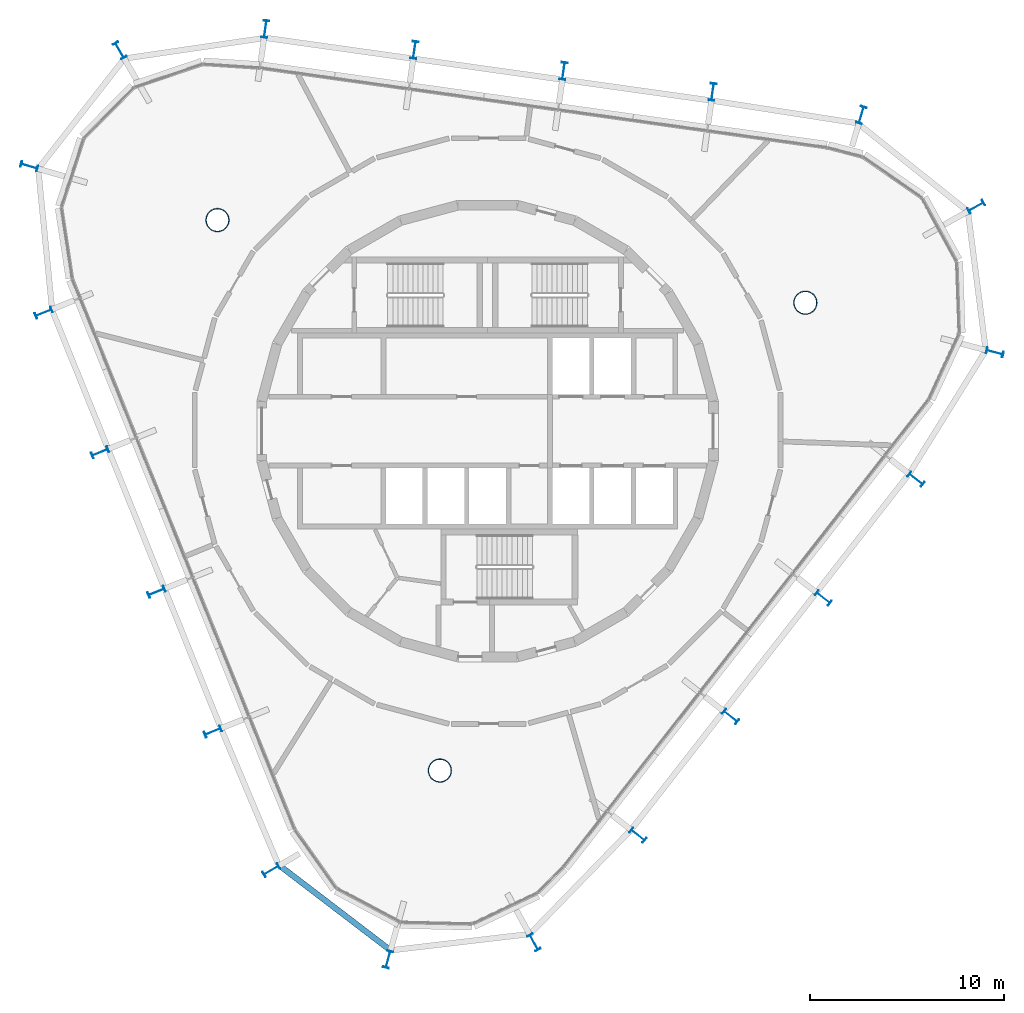
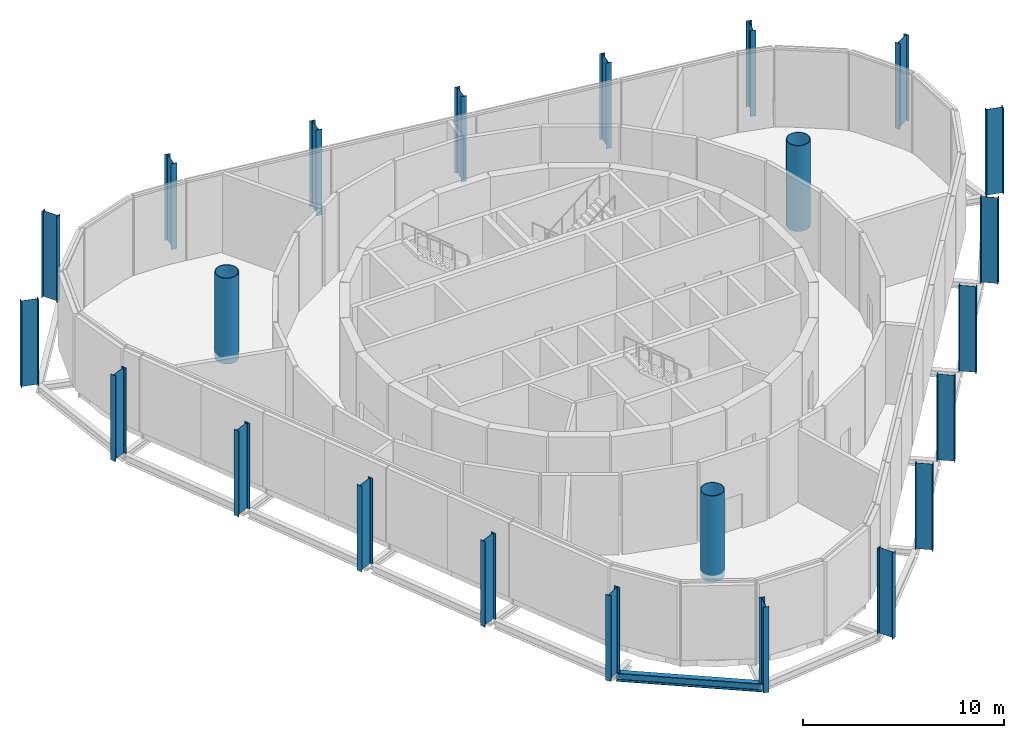
# One storey, part 1 of 12: 23 columns, 1 beam.
"""IFC4 building model written with IfcOpenShell, lengths in metres."""

import ifcopenshell
import ifcopenshell.guid

model = None  # the IFC model being written
_history = None  # IfcOwnerHistory: only IFC2X3 demands one
_inside = {}  # id of a spatial element -> (the spatial element, [elements in it])
_under = {}  # id of a project, library or spatial element -> (it, [spatial elements below it])
_declared = {}  # id of a project -> (the project, [libraries it declares])
_typed = {}  # id of a type object -> (the type object, [elements of that type])
_made_of = {}  # id of a material, layer set ... -> (it, [elements and type objects made of it])


def new_model(schema):
    """Start an empty IFC model of exactly this schema.

    Asked for "IFC4X3", IfcOpenShell would pick the latest addendum, in which some entities
    have other attributes; the version numbers below select the first issue.
    IFC2X3 requires an IfcOwnerHistory on every rooted entity: one is made here for all.
    """
    global model, _history
    if schema == "IFC4X3":
        model = ifcopenshell.file(schema_version=(4, 3, 0, 0))
    else:
        model = ifcopenshell.file(schema=schema)
    _inside.clear()
    _under.clear()
    _declared.clear()
    _typed.clear()
    _made_of.clear()
    _history = None
    if model.schema == "IFC2X3":
        org = make("IfcOrganization", Name="unknown")
        user = make(
            "IfcPersonAndOrganization",
            ThePerson=make("IfcPerson", FamilyName="unknown"),
            TheOrganization=org,
        )
        app = make(
            "IfcApplication",
            ApplicationDeveloper=org,
            Version="unknown",
            ApplicationFullName="unknown",
            ApplicationIdentifier="unknown",
        )
        _history = make(
            "IfcOwnerHistory",
            OwningUser=user,
            OwningApplication=app,
            ChangeAction="ADDED",
            CreationDate=0,
        )
    return model


def make(cls, **values):
    """One entity of the class cls with the attributes given. An attribute that is None is left unset."""
    return model.create_entity(
        cls, **{name: value for name, value in values.items() if value is not None}
    )


def rooted(cls, **values):
    """An entity with a GlobalId (a new one), such as an element, a storey or a relation."""
    return make(cls, GlobalId=ifcopenshell.guid.new(), OwnerHistory=_history, **values)


def si_unit(unit_type, name, prefix=None):
    """IfcSIUnit, for example si_unit("LENGTHUNIT", "METRE", prefix="MILLI")."""
    return make("IfcSIUnit", UnitType=unit_type, Prefix=prefix, Name=name)


def assignment(units):
    """IfcUnitAssignment: the units of a project."""
    return None if units is None else make("IfcUnitAssignment", Units=units)


def point(xyz):
    """IfcCartesianPoint."""
    return None if xyz is None else make("IfcCartesianPoint", Coordinates=xyz)


def direction(xyz):
    """IfcDirection."""
    return None if xyz is None else make("IfcDirection", DirectionRatios=xyz)


def frame(location, z_axis=None, x_axis=None):
    """IfcAxis2Placement3D, a coordinate frame: its origin and axes. An axis left out is left unset."""
    return make(
        "IfcAxis2Placement3D",
        Location=point(location),
        Axis=direction(z_axis),
        RefDirection=direction(x_axis),
    )


def frame_2d(location, x_axis=None):
    """IfcAxis2Placement2D, a coordinate frame in the plane: its origin and x axis."""
    return make(
        "IfcAxis2Placement2D", Location=point(location), RefDirection=direction(x_axis)
    )


def origin():
    """The frame at (0, 0, 0) with its axes left unset."""
    return frame((0.0, 0.0, 0.0))


def origin_2d():
    """The frame at (0, 0) in the plane with its x axis left unset."""
    return frame_2d((0.0, 0.0))


def place(relative_to, where):
    """IfcLocalPlacement: puts the frame where relative to a parent placement (None: the world)."""
    return make(
        "IfcLocalPlacement", PlacementRelTo=relative_to, RelativePlacement=where
    )


def context(
    kind, dimensions, precision=None, world=None, true_north=None, identifier=None
):
    """IfcGeometricRepresentationContext, for example the 3D "Model" context."""
    return make(
        "IfcGeometricRepresentationContext",
        ContextIdentifier=identifier,
        ContextType=kind,
        CoordinateSpaceDimension=dimensions,
        Precision=precision,
        WorldCoordinateSystem=world,
        TrueNorth=true_north,
    )


def subcontext(parent, identifier, kind, view, scale=None):
    """IfcGeometricRepresentationSubContext, for example "Body" below "Model"."""
    return make(
        "IfcGeometricRepresentationSubContext",
        ContextIdentifier=identifier,
        ContextType=kind,
        ParentContext=parent,
        TargetScale=scale,
        TargetView=view,
    )


def project(units=None, contexts=None):
    """IfcProject with its units and contexts."""
    return rooted(
        "IfcProject",
        Name="project",
        RepresentationContexts=contexts,
        UnitsInContext=assignment(units),
    )


def spatial(cls, under=None, at=None, **own):
    """A site, building, storey or space (cls), placed at a placement, below another one or the project."""
    s = rooted(cls, ObjectPlacement=at, **own)
    if under is not None:
        _under.setdefault(under.id(), (under, []))[1].append(s)
    return s


def profile(cls, at=None, kind="AREA", **sizes):
    """A parametric profile (cls). Its sizes go by their IFC names, for example OverallWidth=200.0."""
    return make(cls, ProfileType=kind, Position=at, **sizes)


def hollow_circle(**sizes):
    """IfcCircleHollowProfileDef."""
    return profile("IfcCircleHollowProfileDef", **sizes)


def i_section(**sizes):
    """IfcIShapeProfileDef."""
    return profile("IfcIShapeProfileDef", **sizes)


def extrude(swept, where, along, depth):
    """IfcExtrudedAreaSolid: the profile swept, set in the frame where, extruded along a direction by depth."""
    return make(
        "IfcExtrudedAreaSolid",
        SweptArea=swept,
        Position=where,
        ExtrudedDirection=direction(along),
        Depth=depth,
    )


def shape(context_of_items, identifier, shape_type, items):
    """IfcShapeRepresentation: the items that make up one representation, for example the "Body"."""
    return make(
        "IfcShapeRepresentation",
        ContextOfItems=context_of_items,
        RepresentationIdentifier=identifier,
        RepresentationType=shape_type,
        Items=items,
    )


def material(Name=None, Category=None):
    """IfcMaterial."""
    return make("IfcMaterial", Name=Name, Category=Category)


def material_profile(
    of_material, cross_section, Name=None, Category=None, Priority=None
):
    """IfcMaterialProfile: a cross section and its material."""
    return make(
        "IfcMaterialProfile",
        Name=Name,
        Material=of_material,
        Profile=cross_section,
        Priority=Priority,
        Category=Category,
    )


def profile_set(profiles, Name=None, composite=None):
    """IfcMaterialProfileSet."""
    return make(
        "IfcMaterialProfileSet",
        Name=Name,
        MaterialProfiles=profiles,
        CompositeProfile=composite,
    )


def made_of(thing, what):
    """Note that an element or type object is made of a material, layer set ...; save() writes the relation."""
    if what is not None:
        _made_of.setdefault(what.id(), (what, []))[1].append(thing)
    return thing


def type_object(cls, material=None, **own):
    """A type object (cls), such as IfcWallType, which elements share."""
    return made_of(rooted(cls, **own), material)


def element(
    cls,
    number,
    at=None,
    inside=None,
    cuts=None,
    type_object=None,
    material=None,
    context=None,
    identifier="Body",
    shape_type=None,
    held_by="IfcProductDefinitionShape",
    body=None,
    shapes=None,
    **own,
):
    """One element of the class cls, such as IfcWall. Its Tag is "e" and its number.

    at: its placement. inside: the storey or other place that contains it. cuts: it is an
    opening in that element (IfcRelVoidsElement). A single representation is given by context,
    identifier, shape_type and body (its items); several are given by shapes. held_by: the class
    of the entity that holds the representations. save() writes the other relations.
    """
    e = rooted(cls, Tag="e%d" % number, ObjectPlacement=at, **own)
    if body is not None:
        shapes = [shape(context, identifier, shape_type, body)]
    if shapes is not None:
        e.Representation = make(held_by, Representations=shapes)
    if inside is not None:
        _inside.setdefault(inside.id(), (inside, []))[1].append(e)
    if cuts is not None:
        rooted(
            "IfcRelVoidsElement", RelatingBuildingElement=cuts, RelatedOpeningElement=e
        )
    if type_object is not None:
        _typed.setdefault(type_object.id(), (type_object, []))[1].append(e)
    return made_of(e, material)


def aggregate(whole, parts):
    """IfcRelAggregates: a whole, such as a stair, and the parts it consists of."""
    return rooted("IfcRelAggregates", RelatingObject=whole, RelatedObjects=parts)


def save(model, path):
    """Write the relations noted so far, then the file.

    IfcRelAggregates (storeys below a building ...), IfcRelContainedInSpatialStructure (elements
    in a storey), IfcRelDefinesByType, IfcRelAssociatesMaterial and IfcRelDeclares: one each for
    every whole, place, type object, material and project.
    """
    for whole, parts in _under.values():
        aggregate(whole, parts)
    for where, things in _inside.values():
        rooted(
            "IfcRelContainedInSpatialStructure",
            RelatedElements=things,
            RelatingStructure=where,
        )
    for kind, things in _typed.values():
        rooted("IfcRelDefinesByType", RelatedObjects=things, RelatingType=kind)
    for what, things in _made_of.values():
        rooted("IfcRelAssociatesMaterial", RelatedObjects=things, RelatingMaterial=what)
    for by, libraries in _declared.values():
        rooted("IfcRelDeclares", RelatingContext=by, RelatedDefinitions=libraries)
    model.write(path)


model = new_model("IFC4")

# Units and contexts
model_context = context("Model", 3, precision=1e-05, world=origin(), true_north=direction((0.0, 1.0)))
body_context = subcontext(model_context, "Body", "Model", "MODEL_VIEW")
ifc_project = project(units=[si_unit("LENGTHUNIT", "METRE"), si_unit("AREAUNIT", "SQUARE_METRE"), si_unit("VOLUMEUNIT", "CUBIC_METRE"), si_unit("PLANEANGLEUNIT", "RADIAN"), si_unit("MASSUNIT", "GRAM", prefix="KILO")], contexts=[model_context])

# Site, building, storey
site_placement = place(None, origin())
site = spatial("IfcSite", under=ifc_project, at=site_placement, CompositionType="ELEMENT")
building_placement = place(site_placement, origin())
building = spatial("IfcBuilding", under=site, at=building_placement, Name="Spindle Arch Residences", CompositionType="ELEMENT")
storey_placement = place(building_placement, frame((0.0, 0.0, 361.0)))
storey = spatial("IfcBuildingStorey", under=building, at=storey_placement, Name="L93", CompositionType="ELEMENT", Elevation=361.0)

# Columns
ifc_material_1 = material(Name="Steel S460ML, intumescent coating R 240", Category="steel")
ifc_material_profile_1 = material_profile(ifc_material_1, i_section(OverallWidth=0.300048828125, OverallDepth=0.89990234375, WebThickness=0.0185546875, FlangeThickness=0.034912109375, FilletRadius=0.030029296875, at=origin_2d()), Name="HEB 900")
ifc_profile_set_1 = profile_set([ifc_material_profile_1], Name="Steel S460ML, intumescent coating R 240")
column_type_1 = type_object("IfcColumnType", Name="Exoskeleton post HEB 900", PredefinedType="COLUMN", material=ifc_profile_set_1)
for number, where, z_axis, x_axis, name in (
    (1, (17.314208984375, -8.60009765625, -0.3798828125), (0.0, 0.0, 1.0), (-0.615661060634, -0.788011077599, 0.0), "Exoskeleton post 1"),
    (2, (22.09521484375, -2.480712890625, -0.3798828125), (0.0, 0.0, 1.0), (-0.615661060634, -0.788011077599, 0.0), "Exoskeleton post 2"),
    (3, (26.15869140625, 4.05712890625, -0.3798828125), (0.0, 0.0, 1.0), (-0.253940928912, -0.967219729236, 0.0), "Exoskeleton post 3"),
    (4, (25.19384765625, 11.571044921875, -0.3798828125), (0.0, 0.0, 1.0), (0.490023975195, -0.871708955865, 0.0), "Exoskeleton post 4"),
    (5, (19.27587890625, 16.30078125, -0.3798828125), (0.0, 0.0, 1.0), (0.958298489612, -0.285769146005, 0.0), "Exoskeleton post 5"),
    (6, (11.607421875, 17.4931640625, -0.3798828125), (0.0, 0.0, 1.0), (0.990268081324, -0.139173011432, 0.0), "Exoskeleton post 6"),
    (7, (3.91748046875, 18.573974609375, -0.3798828125), (0.0, 0.0, 1.0), (0.990268081324, -0.139173011432, 0.0), "Exoskeleton post 7"),
    (8, (-3.772705078125, 19.65478515625, -0.3798828125), (0.0, 0.0, 1.0), (0.990268081324, -0.139173011432, 0.0), "Exoskeleton post 8"),
    (9, (-11.462646484375, 20.735595703125, -0.3798828125), (0.0, 0.0, 1.0), (0.990268081324, -0.139173011432, 0.0), "Exoskeleton post 9"),
    (10, (-18.9755859375, 19.632080078125, -0.3798828125), (0.0, 0.0, 1.0), (0.866256848037, 0.499598912358, 0.0), "Exoskeleton post 10"),
    (11, (-23.6396484375, 13.662353515625, -0.3798828125), (0.0, 0.0, 1.0), (0.275193000466, 0.96138900165, 0.0), "Exoskeleton post 11"),
    (12, (-22.892578125, 6.105712890625, -0.3798828125), (0.0, 0.0, 1.0), (-0.374606892434, 0.927183733755, 0.0), "Exoskeleton post 12"),
    (13, (-19.983642578125, -1.094482421875, -0.3798828125), (0.0, 0.0, 1.0), (-0.374606892434, 0.927183733755, 0.0), "Exoskeleton post 13"),
    (14, (-17.07470703125, -8.29443359375, -0.3798828125), (0.0, 0.0, 1.0), (-0.374606892434, 0.927183733755, 0.0), "Exoskeleton post 14"),
    (15, (-14.16552734375, -15.49462890625, -0.3798828125), (0.0, 0.0, 1.0), (-0.374606892434, 0.927183733755, 0.0), "Exoskeleton post 15"),
    (16, (-11.1533203125, -22.64697265625, -0.3798828125), (0.0, 0.0, 1.0), (-0.509114042361, 0.86069907161, 0.0), "Exoskeleton post 16"),
    (17, (-5.13232421875, -27.244873046875, -0.3798828125), (0.0, 0.0, 1.0), (-0.964362923017, 0.264582978873, 0.0), "Exoskeleton post 17"),
    (18, (2.391845703125, -26.363037109375, -0.3798828125), (0.0, 0.0, 1.0), (-0.877055410309, -0.480389224741, 0.0), "Exoskeleton post 18"),
    (19, (7.752197265625, -20.838623046875, -0.3798828125), (0.0, 0.0, 1.0), (-0.615661060634, -0.788011077599, 0.0), "Exoskeleton post 19"),
    (20, (12.533203125, -14.71923828125, -0.3798828125), (0.0, 0.0, 1.0), (-0.615661060634, -0.788011077599, 0.0), "Exoskeleton post 20"),
):
    element("IfcColumn", number, at=place(storey_placement, frame(where, z_axis=z_axis, x_axis=x_axis)), inside=storey, type_object=column_type_1, Name=name, PredefinedType="COLUMN", context=body_context, shape_type="SweptSolid", body=[
        extrude(i_section(OverallWidth=0.300048828125, OverallDepth=0.89990234375, WebThickness=0.0185546875, FlangeThickness=0.034912109375, FilletRadius=0.030029296875, at=origin_2d()), origin(), (0.0, 0.0, 1.0), 5.199951171875),
    ])
ifc_material_2 = material(Name="Concrete C50/60 filled steel tube S460ML, intumescent coating R 240", Category="concrete")
ifc_material_profile_2 = material_profile(ifc_material_2, hollow_circle(Radius=0.60009765625, WallThickness=0.030029296875, at=origin_2d()), Name="CFT D1200x30")
ifc_profile_set_2 = profile_set([ifc_material_profile_2], Name="Concrete C50/60 filled steel tube S460ML, intumescent coating R 240")
column_type_2 = type_object("IfcColumnType", Name="Mega-column CFT D1200x30", PredefinedType="COLUMN", material=ifc_profile_set_2)
for number, where, z_axis, x_axis, name in (
    (21, (16.3896484375, 6.621826171875, -0.3798828125), (0.0, 0.0, 1.0), (1.0, 0.0, 0.0), "Mega-column 1"),
    (22, (-13.929443359375, 10.883056640625, -0.3798828125), (0.0, 0.0, 1.0), (1.0, 0.0, 0.0), "Mega-column 2"),
    (23, (-2.460205078125, -17.5048828125, -0.3798828125), (0.0, 0.0, 1.0), (1.0, 0.0, 0.0), "Mega-column 3"),
):
    element("IfcColumn", number, at=place(storey_placement, frame(where, z_axis=z_axis, x_axis=x_axis)), inside=storey, type_object=column_type_2, Name=name, PredefinedType="COLUMN", context=body_context, shape_type="SweptSolid", body=[
        extrude(hollow_circle(Radius=0.60009765625, WallThickness=0.030029296875, at=origin_2d()), origin(), (0.0, 0.0, 1.0), 5.199951171875),
    ])

# Beam
ifc_material_3 = material(Name="Steel S460ML, intumescent coating R 120", Category="steel")
ifc_material_profile_3 = material_profile(ifc_material_3, i_section(OverallWidth=0.300048828125, OverallDepth=0.5, WebThickness=0.014404296875, FlangeThickness=0.028076171875, FilletRadius=0.027099609375, at=origin_2d()), Name="HEB 500")
ifc_profile_set_3 = profile_set([ifc_material_profile_3], Name="Steel S460ML, intumescent coating R 120")
beam_type = type_object("IfcBeamType", Name="Exoskeleton edge beam HEB 500", PredefinedType="BEAM", material=ifc_profile_set_3)
beam_placement = place(storey_placement, frame((-10.77685546875, -22.3681640625, -0.6298828125), z_axis=(0.794751716533, -0.606934682703, 0.0), x_axis=(0.606934682703, 0.794751716533, 0.0)))
element("IfcBeam", 24, at=beam_placement, inside=storey, type_object=beam_type, Name="Exoskeleton edge beam 16", PredefinedType="BEAM", context=body_context, shape_type="SweptSolid", body=[
    extrude(i_section(OverallWidth=0.300048828125, OverallDepth=0.5, WebThickness=0.014404296875, FlangeThickness=0.028076171875, FilletRadius=0.027099609375, at=origin_2d()), origin(), (0.0, 0.0, 1.0), 7.315673828125),
])

save(model, "model.ifc")
